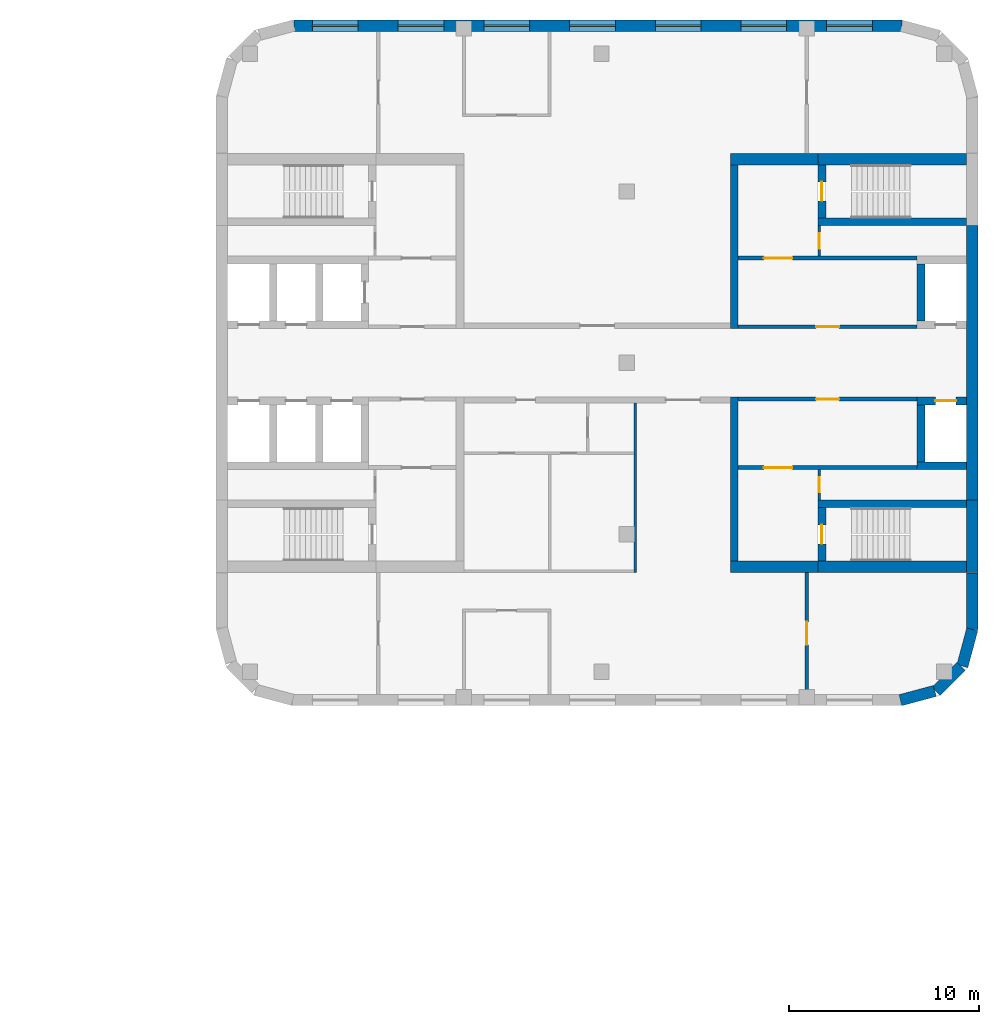
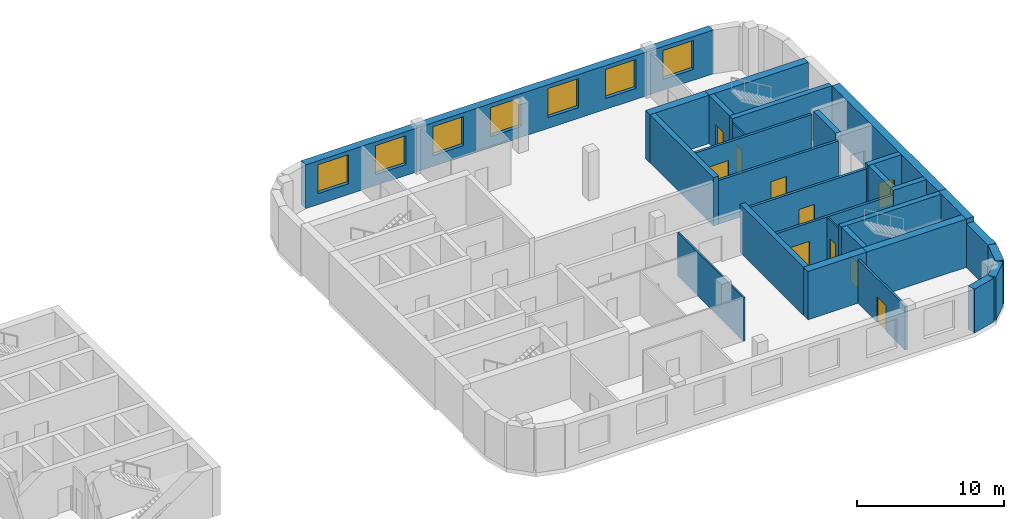
# One storey, part 9 of 16: 29 walls, 10 doors, 7 windows, 17 openings.
"""IFC4 building model written with IfcOpenShell, lengths in metres."""

from ifc_helpers import new_model, si_unit, direction, frame, frame_2d, origin, place, context, subcontext, project, spatial, rectangle, extrude, material, layer, layer_set, type_object, element, fill, save


model = new_model("IFC4")

# Units and contexts
model_context = context("Model", 3, precision=1e-05, world=origin(), true_north=direction((0.0, 1.0)))
body_context = subcontext(model_context, "Body", "Model", "MODEL_VIEW")
ifc_project = project(units=[si_unit("LENGTHUNIT", "METRE"), si_unit("AREAUNIT", "SQUARE_METRE"), si_unit("VOLUMEUNIT", "CUBIC_METRE"), si_unit("PLANEANGLEUNIT", "RADIAN"), si_unit("MASSUNIT", "GRAM", prefix="KILO")], contexts=[model_context])

# Site, building, storey
site_placement = place(None, origin())
site = spatial("IfcSite", under=ifc_project, at=site_placement, CompositionType="ELEMENT")
building_placement = place(site_placement, origin())
building = spatial("IfcBuilding", under=site, at=building_placement, Name="Skarvind Civic Tower", CompositionType="ELEMENT")
storey_placement = place(building_placement, frame((0.0, 0.0, 43.5)))
storey = spatial("IfcBuildingStorey", under=building, at=storey_placement, Name="L09", CompositionType="ELEMENT", Elevation=43.5)

# Wall, opening, door
ifc_material_1 = material(Name="Acoustic gypsum board on steel studs", Category="steel")
ifc_layer_1 = layer(ifc_material_1, 0.175048828125)
ifc_layer_set_1 = layer_set([ifc_layer_1], Name="ACOUSTIC MEETING-ROOM PARTITION 175")
wall_type_1 = type_object("IfcWallType", Name="ACOUSTIC MEETING-ROOM PARTITION 175", PredefinedType="PARTITIONING", material=ifc_layer_set_1)
wall_1_placement = place(storey_placement, frame((158.0, 110.60009765625, 0.0), z_axis=(0.0, 0.0, 1.0), x_axis=(0.0, 1.0, 0.0)))
wall_1 = element("IfcWall", 1, at=wall_1_placement, inside=storey, type_object=wall_type_1, Name="Partition 09.016", PredefinedType="PARTITIONING", context=body_context, shape_type="SweptSolid", body=[
    extrude(rectangle(XDim=6.39990234375, YDim=0.175048828125, at=frame_2d((3.199951171875, 0.0))), origin(), (0.0, 0.0, 1.0), 3.625),
])
opening_1_placement = place(wall_1_placement, frame((2.60009765625, 0.0, 0.0)))
opening_1 = element("IfcOpeningElement", 2, at=opening_1_placement, cuts=wall_1, Name="Opening L09-D112", PredefinedType="OPENING", context=body_context, shape_type="SweptSolid", body=[
    extrude(rectangle(XDim=1.199951171875, YDim=2.10009765625, at=frame_2d((0.60009765625, 1.050048828125))), frame((0.0, 0.097412109375, 0.0), z_axis=(0.0, -1.0, 0.0), x_axis=(1.0, 0.0, 0.0)), (0.0, 0.0, 1.0), 0.195068359375),
])
ifc_material_2 = material(Name="Timber door leaf", Category="wood")
door_type_1 = type_object("IfcDoorType", Name="DOOR 1200X2100 DOUBLE TIMBER", OperationType="NOTDEFINED", PredefinedType="DOOR", material=ifc_material_2)
door_1_placement = place(opening_1_placement, origin())
door_1 = element("IfcDoor", 3, at=door_1_placement, inside=storey, type_object=door_type_1, Name="Door L09-D112", OperationType="DOUBLE_DOOR_SINGLE_SWING", OverallHeight=2.10009765625, OverallWidth=1.199951171875, PredefinedType="DOOR", context=body_context, shape_type="SweptSolid", body=[
    extrude(rectangle(XDim=1.199951171875, YDim=2.10009765625, at=frame_2d((0.60009765625, 1.050048828125))), frame((0.0, 0.02490234375, 0.0), z_axis=(0.0, -1.0, 0.0), x_axis=(1.0, 0.0, 0.0)), (0.0, 0.0, 1.0), 0.050048828125),
])
fill(opening_1, door_1)

ifc_material_3 = material(Name="Fire-rated masonry partition", Category="masonry")
ifc_layer_2 = layer(ifc_material_3, 0.199951171875)
ifc_layer_set_2 = layer_set([ifc_layer_2], Name="Core enclosure wall 200")
wall_type_2 = type_object("IfcWallType", Name="Core enclosure wall 200", PredefinedType="PARTITIONING", material=ifc_layer_set_2)
wall_2_placement = place(storey_placement, frame((163.800048828125, 126.10009765625, 0.0), z_axis=(0.0, 0.0, 1.0), x_axis=(-1.0, 0.0, 0.0)))
wall_2 = element("IfcWall", 4, at=wall_2_placement, inside=storey, type_object=wall_type_2, Name="Core wall CB", PredefinedType="PARTITIONING", context=body_context, shape_type="SweptSolid", body=[
    extrude(rectangle(XDim=9.400146484375, YDim=0.199951171875, at=frame_2d((4.7001953125, 0.0))), origin(), (0.0, 0.0, 1.0), 3.625),
])
opening_2_placement = place(wall_2_placement, frame((4.10009765625, 0.0, 0.0)))
opening_2 = element("IfcOpeningElement", 5, at=opening_2_placement, cuts=wall_2, Name="Opening D-L09-CB-03", PredefinedType="OPENING", context=body_context, shape_type="SweptSolid", body=[
    extrude(rectangle(XDim=1.199951171875, YDim=2.10009765625, at=frame_2d((0.60009765625, 1.050048828125))), frame((0.0, 0.10986328125, 0.0), z_axis=(0.0, -1.0, 0.0), x_axis=(1.0, 0.0, 0.0)), (0.0, 0.0, 1.0), 0.219970703125),
])
ifc_material_4 = material(Name="Fire-rated steel door", Category="steel")
door_type_2 = type_object("IfcDoorType", Name="Core lobby door 1200", OperationType="NOTDEFINED", PredefinedType="DOOR", material=ifc_material_4)
door_2_placement = place(opening_2_placement, origin())
door_2 = element("IfcDoor", 6, at=door_2_placement, inside=storey, type_object=door_type_2, Name="Fire door", OperationType="DOUBLE_DOOR_SINGLE_SWING", OverallHeight=2.10009765625, OverallWidth=1.199951171875, PredefinedType="DOOR", context=body_context, shape_type="SweptSolid", body=[
    extrude(rectangle(XDim=1.199951171875, YDim=2.10009765625, at=frame_2d((0.60009765625, 1.050048828125))), frame((0.0, 0.02490234375, 0.0), z_axis=(0.0, -1.0, 0.0), x_axis=(1.0, 0.0, 0.0)), (0.0, 0.0, 1.0), 0.050048828125),
])
fill(opening_2, door_2)

wall_3_placement = place(storey_placement, frame((163.800048828125, 122.5, 0.0), z_axis=(0.0, 0.0, 1.0), x_axis=(-1.0, 0.0, 0.0)))
wall_3 = element("IfcWall", 7, at=wall_3_placement, inside=storey, type_object=wall_type_2, Name="Core wall CB", PredefinedType="PARTITIONING", context=body_context, shape_type="SweptSolid", body=[
    extrude(rectangle(XDim=9.400146484375, YDim=0.199951171875, at=frame_2d((4.7001953125, 0.0))), origin(), (0.0, 0.0, 1.0), 3.625),
])
opening_3_placement = place(wall_3_placement, frame((6.550048828125, 0.0, 0.0)))
opening_3 = element("IfcOpeningElement", 8, at=opening_3_placement, cuts=wall_3, Name="Opening D-L09-CB-04", PredefinedType="OPENING", context=body_context, shape_type="SweptSolid", body=[
    extrude(rectangle(XDim=1.5, YDim=2.10009765625, at=frame_2d((0.75, 1.050048828125))), frame((0.0, 0.10986328125, 0.0), z_axis=(0.0, -1.0, 0.0), x_axis=(1.0, 0.0, 0.0)), (0.0, 0.0, 1.0), 0.219970703125),
])
door_type_3 = type_object("IfcDoorType", Name="Fire door 1500", OperationType="NOTDEFINED", PredefinedType="DOOR", material=ifc_material_4)
door_3_placement = place(opening_3_placement, origin())
door_3 = element("IfcDoor", 9, at=door_3_placement, inside=storey, type_object=door_type_3, Name="Fire door", OperationType="DOUBLE_DOOR_SINGLE_SWING", OverallHeight=2.10009765625, OverallWidth=1.5, PredefinedType="DOOR", context=body_context, shape_type="SweptSolid", body=[
    extrude(rectangle(XDim=1.5, YDim=2.10009765625, at=frame_2d((0.75, 1.050048828125))), frame((0.0, 0.02490234375, 0.0), z_axis=(0.0, -1.0, 0.0), x_axis=(1.0, 0.0, 0.0)), (0.0, 0.0, 1.0), 0.050048828125),
])
fill(opening_3, door_3)

wall_4_placement = place(storey_placement, frame((154.39990234375, 129.89990234375, 0.0), z_axis=(0.0, 0.0, 1.0), x_axis=(1.0, 0.0, 0.0)))
wall_4 = element("IfcWall", 10, at=wall_4_placement, inside=storey, type_object=wall_type_2, Name="Core wall CB", PredefinedType="PARTITIONING", context=body_context, shape_type="SweptSolid", body=[
    extrude(rectangle(XDim=9.400146484375, YDim=0.199951171875, at=frame_2d((4.7001953125, 0.0))), origin(), (0.0, 0.0, 1.0), 3.625),
])
opening_4_placement = place(wall_4_placement, frame((4.10009765625, 0.0, 0.0)))
opening_4 = element("IfcOpeningElement", 11, at=opening_4_placement, cuts=wall_4, Name="Opening D-L09-CB-07", PredefinedType="OPENING", context=body_context, shape_type="SweptSolid", body=[
    extrude(rectangle(XDim=1.199951171875, YDim=2.10009765625, at=frame_2d((0.60009765625, 1.050048828125))), frame((0.0, 0.10986328125, 0.0), z_axis=(0.0, -1.0, 0.0), x_axis=(1.0, 0.0, 0.0)), (0.0, 0.0, 1.0), 0.219970703125),
])
door_4_placement = place(opening_4_placement, origin())
door_4 = element("IfcDoor", 12, at=door_4_placement, inside=storey, type_object=door_type_2, Name="Fire door", OperationType="DOUBLE_DOOR_SINGLE_SWING", OverallHeight=2.10009765625, OverallWidth=1.199951171875, PredefinedType="DOOR", context=body_context, shape_type="SweptSolid", body=[
    extrude(rectangle(XDim=1.199951171875, YDim=2.10009765625, at=frame_2d((0.60009765625, 1.050048828125))), frame((0.0, 0.02490234375, 0.0), z_axis=(0.0, -1.0, 0.0), x_axis=(1.0, 0.0, 0.0)), (0.0, 0.0, 1.0), 0.050048828125),
])
fill(opening_4, door_4)

wall_5_placement = place(storey_placement, frame((154.39990234375, 133.5, 0.0), z_axis=(0.0, 0.0, 1.0), x_axis=(1.0, 0.0, 0.0)))
wall_5 = element("IfcWall", 13, at=wall_5_placement, inside=storey, type_object=wall_type_2, Name="Core wall CB", PredefinedType="PARTITIONING", context=body_context, shape_type="SweptSolid", body=[
    extrude(rectangle(XDim=9.400146484375, YDim=0.199951171875, at=frame_2d((4.7001953125, 0.0))), origin(), (0.0, 0.0, 1.0), 3.625),
])
opening_5_placement = place(wall_5_placement, frame((1.35009765625, 0.0, 0.0)))
opening_5 = element("IfcOpeningElement", 14, at=opening_5_placement, cuts=wall_5, Name="Opening D-L09-CB-08", PredefinedType="OPENING", context=body_context, shape_type="SweptSolid", body=[
    extrude(rectangle(XDim=1.5, YDim=2.10009765625, at=frame_2d((0.75, 1.050048828125))), frame((0.0, 0.10986328125, 0.0), z_axis=(0.0, -1.0, 0.0), x_axis=(1.0, 0.0, 0.0)), (0.0, 0.0, 1.0), 0.219970703125),
])
door_5_placement = place(opening_5_placement, origin())
door_5 = element("IfcDoor", 15, at=door_5_placement, inside=storey, type_object=door_type_3, Name="Fire door", OperationType="DOUBLE_DOOR_SINGLE_SWING", OverallHeight=2.10009765625, OverallWidth=1.5, PredefinedType="DOOR", context=body_context, shape_type="SweptSolid", body=[
    extrude(rectangle(XDim=1.5, YDim=2.10009765625, at=frame_2d((0.75, 1.050048828125))), frame((0.0, 0.02490234375, 0.0), z_axis=(0.0, -1.0, 0.0), x_axis=(1.0, 0.0, 0.0)), (0.0, 0.0, 1.0), 0.050048828125),
])
fill(opening_5, door_5)

# Wall
ifc_material_5 = material(Name="Concrete C80", Category="concrete")
ifc_layer_3 = layer(ifc_material_5, 0.39990234375)
ifc_layer_set_3 = layer_set([ifc_layer_3], Name="Core wall 400 C80")
wall_type_3 = type_object("IfcWallType", Name="Core wall 400 C80", PredefinedType="SHEAR", material=ifc_layer_set_3)
wall_6_placement = place(storey_placement, frame((166.39990234375, 135.39990234375, 0.0), z_axis=(0.0, 0.0, 1.0), x_axis=(-1.0, 0.0, 0.0)))
element("IfcWall", 16, at=wall_6_placement, inside=storey, type_object=wall_type_3, Name="Core wall CB south stair inner L09", PredefinedType="SHEAR", context=body_context, shape_type="SweptSolid", body=[
    extrude(rectangle(XDim=7.7998046875, YDim=0.39990234375, at=frame_2d((3.89990234375, 0.0))), origin(), (0.0, 0.0, 1.0), 4.0),
])

# Wall, opening, door
wall_7_placement = place(storey_placement, frame((158.800048828125, 138.39990234375, 0.0), z_axis=(0.0, 0.0, 1.0), x_axis=(0.0, -1.0, 0.0)))
wall_7 = element("IfcWall", 17, at=wall_7_placement, inside=storey, type_object=wall_type_3, Name="Core wall CB south stair end L09", PredefinedType="SHEAR", context=body_context, shape_type="SweptSolid", body=[
    extrude(rectangle(XDim=2.7998046875, YDim=0.39990234375, at=frame_2d((1.39990234375, 0.0))), origin(), (0.0, 0.0, 1.0), 4.0),
])
opening_6_placement = place(wall_7_placement, frame((0.89990234375, 0.0, 0.0)))
opening_6 = element("IfcOpeningElement", 18, at=opening_6_placement, cuts=wall_7, Name="Opening D-L09-CB-09", PredefinedType="OPENING", context=body_context, shape_type="SweptSolid", body=[
    extrude(rectangle(XDim=1.0, YDim=2.10009765625, at=frame_2d((0.5, 1.050048828125))), frame((0.0, 0.2099609375, 0.0), z_axis=(0.0, -1.0, 0.0), x_axis=(1.0, 0.0, 0.0)), (0.0, 0.0, 1.0), 0.419921875),
])
door_type_4 = type_object("IfcDoorType", Name="Fire door 1000", OperationType="NOTDEFINED", PredefinedType="DOOR", material=ifc_material_4)
door_6_placement = place(opening_6_placement, origin())
door_6 = element("IfcDoor", 19, at=door_6_placement, inside=storey, type_object=door_type_4, Name="Fire door", OperationType="SINGLE_SWING_RIGHT", OverallHeight=2.10009765625, OverallWidth=1.0, PredefinedType="DOOR", context=body_context, shape_type="SweptSolid", body=[
    extrude(rectangle(XDim=1.0, YDim=2.10009765625, at=frame_2d((0.5, 1.050048828125))), frame((0.0, 0.02490234375, 0.0), z_axis=(0.0, -1.0, 0.0), x_axis=(1.0, 0.0, 0.0)), (0.0, 0.0, 1.0), 0.050048828125),
])
fill(opening_6, door_6)

# Wall
wall_8_placement = place(storey_placement, frame((166.39990234375, 120.60009765625, 0.0), z_axis=(0.0, 0.0, 1.0), x_axis=(-1.0, 0.0, 0.0)))
element("IfcWall", 20, at=wall_8_placement, inside=storey, type_object=wall_type_3, Name="Core wall CB north stair inner L09", PredefinedType="SHEAR", context=body_context, shape_type="SweptSolid", body=[
    extrude(rectangle(XDim=7.7998046875, YDim=0.39990234375, at=frame_2d((3.89990234375, 0.0))), origin(), (0.0, 0.0, 1.0), 4.0),
])

# Wall, opening, door
wall_9_placement = place(storey_placement, frame((158.800048828125, 120.39990234375, 0.0), z_axis=(0.0, 0.0, 1.0), x_axis=(0.0, -1.0, 0.0)))
wall_9 = element("IfcWall", 21, at=wall_9_placement, inside=storey, type_object=wall_type_3, Name="Core wall CB north stair end L09", PredefinedType="SHEAR", context=body_context, shape_type="SweptSolid", body=[
    extrude(rectangle(XDim=2.7998046875, YDim=0.39990234375, at=frame_2d((1.39990234375, 0.0))), origin(), (0.0, 0.0, 1.0), 4.0),
])
opening_7_placement = place(wall_9_placement, frame((0.89990234375, 0.0, 0.0)))
opening_7 = element("IfcOpeningElement", 22, at=opening_7_placement, cuts=wall_9, Name="Opening D-L09-CB-05", PredefinedType="OPENING", context=body_context, shape_type="SweptSolid", body=[
    extrude(rectangle(XDim=1.0, YDim=2.10009765625, at=frame_2d((0.5, 1.050048828125))), frame((0.0, 0.2099609375, 0.0), z_axis=(0.0, -1.0, 0.0), x_axis=(1.0, 0.0, 0.0)), (0.0, 0.0, 1.0), 0.419921875),
])
door_7_placement = place(opening_7_placement, origin())
door_7 = element("IfcDoor", 23, at=door_7_placement, inside=storey, type_object=door_type_4, Name="Fire door", OperationType="SINGLE_SWING_LEFT", OverallHeight=2.10009765625, OverallWidth=1.0, PredefinedType="DOOR", context=body_context, shape_type="SweptSolid", body=[
    extrude(rectangle(XDim=1.0, YDim=2.10009765625, at=frame_2d((0.5, 1.050048828125))), frame((0.0, 0.02490234375, 0.0), z_axis=(0.0, -1.0, 0.0), x_axis=(1.0, 0.0, 0.0)), (0.0, 0.0, 1.0), 0.050048828125),
])
fill(opening_7, door_7)

# Wall
wall_10_placement = place(storey_placement, frame((164.0, 133.199951171875, 0.0), z_axis=(0.0, 0.0, 1.0), x_axis=(0.0, -1.0, 0.0)))
element("IfcWall", 24, at=wall_10_placement, inside=storey, type_object=wall_type_3, Name="Core wall CB south lift row division 1 L09", PredefinedType="SHEAR", context=body_context, shape_type="SweptSolid", body=[
    extrude(rectangle(XDim=3.0, YDim=0.39990234375, at=frame_2d((1.5, 0.0))), origin(), (0.0, 0.0, 1.0), 4.0),
])

# Wall, opening, door
wall_11_placement = place(storey_placement, frame((166.39990234375, 126.0, 0.0), z_axis=(0.0, 0.0, 1.0), x_axis=(-1.0, 0.0, 0.0)))
wall_11 = element("IfcWall", 25, at=wall_11_placement, inside=storey, type_object=wall_type_3, Name="Core wall CB north lift row front L09", PredefinedType="SHEAR", context=body_context, shape_type="SweptSolid", body=[
    extrude(rectangle(XDim=2.599853515625, YDim=0.39990234375, at=frame_2d((1.2998046875, 0.0))), origin(), (0.0, 0.0, 1.0), 4.0),
])
opening_8_placement = place(wall_11_placement, frame((0.550048828125, 0.0, 0.0)))
opening_8 = element("IfcOpeningElement", 26, at=opening_8_placement, cuts=wall_11, Name="Opening LD11401", PredefinedType="OPENING", context=body_context, shape_type="SweptSolid", body=[
    extrude(rectangle(XDim=1.10009765625, YDim=2.10009765625, at=frame_2d((0.550048828125, 1.050048828125))), frame((0.0, 0.2099609375, 0.0), z_axis=(0.0, -1.0, 0.0), x_axis=(1.0, 0.0, 0.0)), (0.0, 0.0, 1.0), 0.419921875),
])
ifc_material_6 = material(Name="Stainless steel landing door", Category="steel")
door_type_5 = type_object("IfcDoorType", Name="Lift landing door 1100", OperationType="DOUBLE_DOOR_SLIDING", PredefinedType="DOOR", material=ifc_material_6)
door_8_placement = place(opening_8_placement, origin())
door_8 = element("IfcDoor", 27, at=door_8_placement, inside=storey, type_object=door_type_5, Name="Lift landing door", OperationType="DOUBLE_DOOR_SLIDING", OverallHeight=2.10009765625, OverallWidth=1.10009765625, PredefinedType="DOOR", context=body_context, shape_type="SweptSolid", body=[
    extrude(rectangle(XDim=1.10009765625, YDim=2.10009765625, at=frame_2d((0.550048828125, 1.050048828125))), frame((0.0, 0.02490234375, 0.0), z_axis=(0.0, -1.0, 0.0), x_axis=(1.0, 0.0, 0.0)), (0.0, 0.0, 1.0), 0.050048828125),
])
fill(opening_8, door_8)

# Walls
wall_12_placement = place(storey_placement, frame((166.39990234375, 122.60009765625, 0.0), z_axis=(0.0, 0.0, 1.0), x_axis=(-1.0, 0.0, 0.0)))
element("IfcWall", 28, at=wall_12_placement, inside=storey, type_object=wall_type_3, Name="Core wall CB north lift row back L09", PredefinedType="SHEAR", context=body_context, shape_type="SweptSolid", body=[
    extrude(rectangle(XDim=2.599853515625, YDim=0.39990234375, at=frame_2d((1.2998046875, 0.0))), origin(), (0.0, 0.0, 1.0), 4.0),
])
wall_13_placement = place(storey_placement, frame((164.0, 125.800048828125, 0.0), z_axis=(0.0, 0.0, 1.0), x_axis=(0.0, -1.0, 0.0)))
element("IfcWall", 29, at=wall_13_placement, inside=storey, type_object=wall_type_3, Name="Core wall CB north lift row division 1 L09", PredefinedType="SHEAR", context=body_context, shape_type="SweptSolid", body=[
    extrude(rectangle(XDim=3.0, YDim=0.39990234375, at=frame_2d((1.5, 0.0))), origin(), (0.0, 0.0, 1.0), 4.0),
])
for number, where, z_axis, x_axis, name in (
    (30, (154.199951171875, 138.39990234375, 0.0), (0.0, 0.0, 1.0), (0.0, -1.0, 0.0), "Core wall CB south inner face L09"),
    (31, (154.199951171875, 126.199951171875, 0.0), (0.0, 0.0, 1.0), (0.0, -1.0, 0.0), "Core wall CB north inner face L09"),
):
    element("IfcWall", number, at=place(storey_placement, frame(where, z_axis=z_axis, x_axis=x_axis)), inside=storey, type_object=wall_type_3, Name=name, PredefinedType="SHEAR", context=body_context, shape_type="SweptSolid", body=[
        extrude(rectangle(XDim=8.599853515625, YDim=0.39990234375, at=frame_2d((4.2998046875, 0.0))), origin(), (0.0, 0.0, 1.0), 4.0),
    ])
ifc_layer_4 = layer(ifc_material_5, 0.60009765625)
ifc_layer_set_4 = layer_set([ifc_layer_4], Name="Core wall 600 C80")
wall_type_4 = type_object("IfcWallType", Name="Core wall 600 C80", PredefinedType="SHEAR", material=ifc_layer_set_4)
wall_14_placement = place(storey_placement, frame((166.699951171875, 135.199951171875, 0.0), z_axis=(0.0, 0.0, 1.0), x_axis=(0.0, -1.0, 0.0)))
element("IfcWall", 32, at=wall_14_placement, inside=storey, type_object=wall_type_4, Name="Core wall CB tip between the stairs L09", PredefinedType="SHEAR", context=body_context, shape_type="SweptSolid", body=[
    extrude(rectangle(XDim=14.39990234375, YDim=0.60009765625, at=frame_2d((7.199951171875, 0.0))), origin(), (0.0, 0.0, 1.0), 4.0),
])
wall_15_placement = place(storey_placement, frame((166.699951171875, 120.800048828125, 0.0), z_axis=(0.0, 0.0, 1.0), x_axis=(0.0, -1.0, 0.0)))
element("IfcWall", 33, at=wall_15_placement, inside=storey, type_object=wall_type_4, Name="Core wall CB tip at the north stair L09", PredefinedType="SHEAR", context=body_context, shape_type="SweptSolid", body=[
    extrude(rectangle(XDim=3.800048828125, YDim=0.60009765625, at=frame_2d((1.89990234375, 0.0))), origin(), (0.0, 0.0, 1.0), 4.0),
])
for number, where, z_axis, x_axis, name in (
    (34, (166.39990234375, 138.699951171875, 0.0), (0.0, 0.0, 1.0), (-1.0, 0.0, 0.0), "Core wall CB south side at the stair L09"),
    (35, (166.39990234375, 117.300048828125, 0.0), (0.0, 0.0, 1.0), (-1.0, 0.0, 0.0), "Core wall CB north side at the stair L09"),
):
    element("IfcWall", number, at=place(storey_placement, frame(where, z_axis=z_axis, x_axis=x_axis)), inside=storey, type_object=wall_type_4, Name=name, PredefinedType="SHEAR", context=body_context, shape_type="SweptSolid", body=[
        extrude(rectangle(XDim=7.7998046875, YDim=0.60009765625, at=frame_2d((3.89990234375, 0.0))), origin(), (0.0, 0.0, 1.0), 4.0),
    ])
for number, where, z_axis, x_axis, name in (
    (36, (158.60009765625, 138.699951171875, 0.0), (0.0, 0.0, 1.0), (-1.0, 0.0, 0.0), "Core wall CB south side L09"),
    (37, (158.60009765625, 117.300048828125, 0.0), (0.0, 0.0, 1.0), (-1.0, 0.0, 0.0), "Core wall CB north side L09"),
):
    element("IfcWall", number, at=place(storey_placement, frame(where, z_axis=z_axis, x_axis=x_axis)), inside=storey, type_object=wall_type_4, Name=name, PredefinedType="SHEAR", context=body_context, shape_type="SweptSolid", body=[
        extrude(rectangle(XDim=4.60009765625, YDim=0.60009765625, at=frame_2d((2.300048828125, 0.0))), origin(), (0.0, 0.0, 1.0), 4.0),
    ])

# Wall, opening, door
ifc_layer_5 = layer(ifc_material_3, 0.125)
ifc_layer_set_5 = layer_set([ifc_layer_5], Name="Riser wall 125")
wall_type_5 = type_object("IfcWallType", Name="Riser wall 125", PredefinedType="PARTITIONING", material=ifc_layer_set_5)
wall_16_placement = place(storey_placement, frame((158.66259765625, 120.800048828125, 0.0), z_axis=(0.0, 0.0, 1.0), x_axis=(0.0, 1.0, 0.0)))
wall_16 = element("IfcWall", 38, at=wall_16_placement, inside=storey, type_object=wall_type_5, Name="Core wall CB", PredefinedType="PARTITIONING", context=body_context, shape_type="SweptSolid", body=[
    extrude(rectangle(XDim=1.599853515625, YDim=0.125, at=frame_2d((0.7998046875, 0.0))), origin(), (0.0, 0.0, 1.0), 3.625),
])
opening_9_placement = place(wall_16_placement, frame((0.39990234375, 0.0, 0.0)))
opening_9 = element("IfcOpeningElement", 39, at=opening_9_placement, cuts=wall_16, Name="Opening D-L09-CB-06", PredefinedType="OPENING", context=body_context, shape_type="SweptSolid", body=[
    extrude(rectangle(XDim=0.800048828125, YDim=2.10009765625, at=frame_2d((0.39990234375, 1.050048828125))), frame((0.0, 0.072509765625, 0.0), z_axis=(0.0, -1.0, 0.0), x_axis=(1.0, 0.0, 0.0)), (0.0, 0.0, 1.0), 0.14501953125),
])
door_type_6 = type_object("IfcDoorType", Name="Core riser door 800", OperationType="NOTDEFINED", PredefinedType="DOOR", material=ifc_material_4)
door_9_placement = place(opening_9_placement, origin())
door_9 = element("IfcDoor", 40, at=door_9_placement, inside=storey, type_object=door_type_6, Name="Riser door", OperationType="SINGLE_SWING_RIGHT", OverallHeight=2.10009765625, OverallWidth=0.800048828125, PredefinedType="DOOR", context=body_context, shape_type="SweptSolid", body=[
    extrude(rectangle(XDim=0.800048828125, YDim=2.10009765625, at=frame_2d((0.39990234375, 1.050048828125))), frame((0.0, 0.02490234375, 0.0), z_axis=(0.0, -1.0, 0.0), x_axis=(1.0, 0.0, 0.0)), (0.0, 0.0, 1.0), 0.050048828125),
])
fill(opening_9, door_9)

wall_17_placement = place(storey_placement, frame((158.66259765625, 133.60009765625, 0.0), z_axis=(0.0, 0.0, 1.0), x_axis=(0.0, 1.0, 0.0)))
wall_17 = element("IfcWall", 41, at=wall_17_placement, inside=storey, type_object=wall_type_5, Name="Core wall CB", PredefinedType="PARTITIONING", context=body_context, shape_type="SweptSolid", body=[
    extrude(rectangle(XDim=1.599853515625, YDim=0.125, at=frame_2d((0.7998046875, 0.0))), origin(), (0.0, 0.0, 1.0), 3.625),
])
opening_10_placement = place(wall_17_placement, frame((0.39990234375, 0.0, 0.0)))
opening_10 = element("IfcOpeningElement", 42, at=opening_10_placement, cuts=wall_17, Name="Opening D-L09-CB-10", PredefinedType="OPENING", context=body_context, shape_type="SweptSolid", body=[
    extrude(rectangle(XDim=0.800048828125, YDim=2.10009765625, at=frame_2d((0.39990234375, 1.050048828125))), frame((0.0, 0.072509765625, 0.0), z_axis=(0.0, -1.0, 0.0), x_axis=(1.0, 0.0, 0.0)), (0.0, 0.0, 1.0), 0.14501953125),
])
door_10_placement = place(opening_10_placement, origin())
door_10 = element("IfcDoor", 43, at=door_10_placement, inside=storey, type_object=door_type_6, Name="Riser door", OperationType="SINGLE_SWING_LEFT", OverallHeight=2.10009765625, OverallWidth=0.800048828125, PredefinedType="DOOR", context=body_context, shape_type="SweptSolid", body=[
    extrude(rectangle(XDim=0.800048828125, YDim=2.10009765625, at=frame_2d((0.39990234375, 1.050048828125))), frame((0.0, 0.02490234375, 0.0), z_axis=(0.0, -1.0, 0.0), x_axis=(1.0, 0.0, 0.0)), (0.0, 0.0, 1.0), 0.050048828125),
])
fill(opening_10, door_10)

# Wall
ifc_material_7 = material(Name="Moisture-resistant gypsum board on steel studs", Category="steel")
ifc_layer_6 = layer(ifc_material_7, 0.125)
ifc_layer_set_6 = layer_set([ifc_layer_6], Name="WC PARTITION 125")
wall_type_6 = type_object("IfcWallType", Name="WC PARTITION 125", PredefinedType="PARTITIONING", material=ifc_layer_set_6)
wall_18_placement = place(storey_placement, frame((149.0, 116.988037109375, 0.0), z_axis=(0.0, 0.0, 1.0), x_axis=(0.0, 1.0, 0.0)))
element("IfcWall", 44, at=wall_18_placement, inside=storey, type_object=wall_type_6, Name="Partition 09.014", PredefinedType="PARTITIONING", context=body_context, shape_type="SweptSolid", body=[
    extrude(rectangle(XDim=8.911865234375, YDim=0.125, at=frame_2d((4.4560546875, 0.0))), origin(), (0.0, 0.0, 1.0), 3.625),
])

# Wall, openings, windows
ifc_material_8 = material(Name="Limestone masonry cladding on insulated backing", Category="masonry")
ifc_layer_7 = layer(ifc_material_8, 0.60009765625)
ifc_layer_set_7 = layer_set([ifc_layer_7], Name="WX1 STONE FACADE WALL 600")
wall_type_7 = type_object("IfcWallType", Name="WX1 STONE FACADE WALL 600", PredefinedType="SOLIDWALL", material=ifc_layer_set_7)
wall_19_placement = place(storey_placement, frame((131.070068359375, 145.699951171875, 0.0), z_axis=(0.0, 0.0, 1.0), x_axis=(1.0, 0.0, 0.0)))
wall_19 = element("IfcWall", 45, at=wall_19_placement, inside=storey, type_object=wall_type_7, Name="STONE FACADE WALL", PredefinedType="SOLIDWALL", context=body_context, shape_type="SweptSolid", body=[
    extrude(rectangle(XDim=31.929931640625, YDim=0.60009765625, at=frame_2d((15.96484375, 0.0))), origin(), (0.0, 0.0, 1.0), 3.625),
])
opening_11_placement = place(wall_19_placement, frame((0.97998046875, 0.0, 0.89990234375)))
opening_11 = element("IfcOpeningElement", 46, at=opening_11_placement, cuts=wall_19, Name="Opening WN9", PredefinedType="OPENING", context=body_context, shape_type="SweptSolid", body=[
    extrude(rectangle(XDim=2.39990234375, YDim=2.39990234375, at=frame_2d((1.199951171875, 1.199951171875))), frame((0.0, 0.31005859375, 0.0), z_axis=(0.0, -1.0, 0.0), x_axis=(1.0, 0.0, 0.0)), (0.0, 0.0, 1.0), 0.6201171875),
])
opening_12_placement = place(wall_19_placement, frame((5.47998046875, 0.0, 0.89990234375)))
opening_12 = element("IfcOpeningElement", 47, at=opening_12_placement, cuts=wall_19, Name="Opening WN9", PredefinedType="OPENING", context=body_context, shape_type="SweptSolid", body=[
    extrude(rectangle(XDim=2.39990234375, YDim=2.39990234375, at=frame_2d((1.199951171875, 1.199951171875))), frame((0.0, 0.31005859375, 0.0), z_axis=(0.0, -1.0, 0.0), x_axis=(1.0, 0.0, 0.0)), (0.0, 0.0, 1.0), 0.6201171875),
])
opening_13_placement = place(wall_19_placement, frame((9.97998046875, 0.0, 0.89990234375)))
opening_13 = element("IfcOpeningElement", 48, at=opening_13_placement, cuts=wall_19, Name="Opening WN9", PredefinedType="OPENING", context=body_context, shape_type="SweptSolid", body=[
    extrude(rectangle(XDim=2.39990234375, YDim=2.39990234375, at=frame_2d((1.199951171875, 1.199951171875))), frame((0.0, 0.31005859375, 0.0), z_axis=(0.0, -1.0, 0.0), x_axis=(1.0, 0.0, 0.0)), (0.0, 0.0, 1.0), 0.6201171875),
])
opening_14_placement = place(wall_19_placement, frame((14.47998046875, 0.0, 0.89990234375)))
opening_14 = element("IfcOpeningElement", 49, at=opening_14_placement, cuts=wall_19, Name="Opening WN9", PredefinedType="OPENING", context=body_context, shape_type="SweptSolid", body=[
    extrude(rectangle(XDim=2.39990234375, YDim=2.39990234375, at=frame_2d((1.199951171875, 1.199951171875))), frame((0.0, 0.31005859375, 0.0), z_axis=(0.0, -1.0, 0.0), x_axis=(1.0, 0.0, 0.0)), (0.0, 0.0, 1.0), 0.6201171875),
])
opening_15_placement = place(wall_19_placement, frame((18.97998046875, 0.0, 0.89990234375)))
opening_15 = element("IfcOpeningElement", 50, at=opening_15_placement, cuts=wall_19, Name="Opening WN9", PredefinedType="OPENING", context=body_context, shape_type="SweptSolid", body=[
    extrude(rectangle(XDim=2.39990234375, YDim=2.39990234375, at=frame_2d((1.199951171875, 1.199951171875))), frame((0.0, 0.31005859375, 0.0), z_axis=(0.0, -1.0, 0.0), x_axis=(1.0, 0.0, 0.0)), (0.0, 0.0, 1.0), 0.6201171875),
])
opening_16_placement = place(wall_19_placement, frame((23.47998046875, 0.0, 0.89990234375)))
opening_16 = element("IfcOpeningElement", 51, at=opening_16_placement, cuts=wall_19, Name="Opening WN9", PredefinedType="OPENING", context=body_context, shape_type="SweptSolid", body=[
    extrude(rectangle(XDim=2.39990234375, YDim=2.39990234375, at=frame_2d((1.199951171875, 1.199951171875))), frame((0.0, 0.31005859375, 0.0), z_axis=(0.0, -1.0, 0.0), x_axis=(1.0, 0.0, 0.0)), (0.0, 0.0, 1.0), 0.6201171875),
])
opening_17_placement = place(wall_19_placement, frame((27.97998046875, 0.0, 0.89990234375)))
opening_17 = element("IfcOpeningElement", 52, at=opening_17_placement, cuts=wall_19, Name="Opening WN9", PredefinedType="OPENING", context=body_context, shape_type="SweptSolid", body=[
    extrude(rectangle(XDim=2.39990234375, YDim=2.39990234375, at=frame_2d((1.199951171875, 1.199951171875))), frame((0.0, 0.31005859375, 0.0), z_axis=(0.0, -1.0, 0.0), x_axis=(1.0, 0.0, 0.0)), (0.0, 0.0, 1.0), 0.6201171875),
])
ifc_material_9 = material(Name="Timber frame, double glazing, timber-lined reveal", Category="wood")
window_type = type_object("IfcWindowType", Name="WN9 COMPANION TOWER WINDOW 2400 x 2400", PartitioningType="SINGLE_PANEL", PredefinedType="WINDOW", material=ifc_material_9)
window_1_placement = place(opening_11_placement, origin())
window_1 = element("IfcWindow", 53, at=window_1_placement, inside=storey, type_object=window_type, Name="WN9 WINDOW", OverallHeight=2.39990234375, OverallWidth=2.39990234375, PartitioningType="SINGLE_PANEL", PredefinedType="WINDOW", context=body_context, shape_type="SweptSolid", body=[
    extrude(rectangle(XDim=2.39990234375, YDim=2.39990234375, at=frame_2d((1.199951171875, 1.199951171875))), frame((0.0, 0.030029296875, 0.0), z_axis=(0.0, -1.0, 0.0), x_axis=(1.0, 0.0, 0.0)), (0.0, 0.0, 1.0), 0.06005859375),
])
fill(opening_11, window_1)
window_2_placement = place(opening_12_placement, origin())
window_2 = element("IfcWindow", 54, at=window_2_placement, inside=storey, type_object=window_type, Name="WN9 WINDOW", OverallHeight=2.39990234375, OverallWidth=2.39990234375, PartitioningType="SINGLE_PANEL", PredefinedType="WINDOW", context=body_context, shape_type="SweptSolid", body=[
    extrude(rectangle(XDim=2.39990234375, YDim=2.39990234375, at=frame_2d((1.199951171875, 1.199951171875))), frame((0.0, 0.030029296875, 0.0), z_axis=(0.0, -1.0, 0.0), x_axis=(1.0, 0.0, 0.0)), (0.0, 0.0, 1.0), 0.06005859375),
])
fill(opening_12, window_2)
window_3_placement = place(opening_13_placement, origin())
window_3 = element("IfcWindow", 55, at=window_3_placement, inside=storey, type_object=window_type, Name="WN9 WINDOW", OverallHeight=2.39990234375, OverallWidth=2.39990234375, PartitioningType="SINGLE_PANEL", PredefinedType="WINDOW", context=body_context, shape_type="SweptSolid", body=[
    extrude(rectangle(XDim=2.39990234375, YDim=2.39990234375, at=frame_2d((1.199951171875, 1.199951171875))), frame((0.0, 0.030029296875, 0.0), z_axis=(0.0, -1.0, 0.0), x_axis=(1.0, 0.0, 0.0)), (0.0, 0.0, 1.0), 0.06005859375),
])
fill(opening_13, window_3)
window_4_placement = place(opening_14_placement, origin())
window_4 = element("IfcWindow", 56, at=window_4_placement, inside=storey, type_object=window_type, Name="WN9 WINDOW", OverallHeight=2.39990234375, OverallWidth=2.39990234375, PartitioningType="SINGLE_PANEL", PredefinedType="WINDOW", context=body_context, shape_type="SweptSolid", body=[
    extrude(rectangle(XDim=2.39990234375, YDim=2.39990234375, at=frame_2d((1.199951171875, 1.199951171875))), frame((0.0, 0.030029296875, 0.0), z_axis=(0.0, -1.0, 0.0), x_axis=(1.0, 0.0, 0.0)), (0.0, 0.0, 1.0), 0.06005859375),
])
fill(opening_14, window_4)
window_5_placement = place(opening_15_placement, origin())
window_5 = element("IfcWindow", 57, at=window_5_placement, inside=storey, type_object=window_type, Name="WN9 WINDOW", OverallHeight=2.39990234375, OverallWidth=2.39990234375, PartitioningType="SINGLE_PANEL", PredefinedType="WINDOW", context=body_context, shape_type="SweptSolid", body=[
    extrude(rectangle(XDim=2.39990234375, YDim=2.39990234375, at=frame_2d((1.199951171875, 1.199951171875))), frame((0.0, 0.030029296875, 0.0), z_axis=(0.0, -1.0, 0.0), x_axis=(1.0, 0.0, 0.0)), (0.0, 0.0, 1.0), 0.06005859375),
])
fill(opening_15, window_5)
window_6_placement = place(opening_16_placement, origin())
window_6 = element("IfcWindow", 58, at=window_6_placement, inside=storey, type_object=window_type, Name="WN9 WINDOW", OverallHeight=2.39990234375, OverallWidth=2.39990234375, PartitioningType="SINGLE_PANEL", PredefinedType="WINDOW", context=body_context, shape_type="SweptSolid", body=[
    extrude(rectangle(XDim=2.39990234375, YDim=2.39990234375, at=frame_2d((1.199951171875, 1.199951171875))), frame((0.0, 0.030029296875, 0.0), z_axis=(0.0, -1.0, 0.0), x_axis=(1.0, 0.0, 0.0)), (0.0, 0.0, 1.0), 0.06005859375),
])
fill(opening_16, window_6)
window_7_placement = place(opening_17_placement, origin())
window_7 = element("IfcWindow", 59, at=window_7_placement, inside=storey, type_object=window_type, Name="WN9 WINDOW", OverallHeight=2.39990234375, OverallWidth=2.39990234375, PartitioningType="SINGLE_PANEL", PredefinedType="WINDOW", context=body_context, shape_type="SweptSolid", body=[
    extrude(rectangle(XDim=2.39990234375, YDim=2.39990234375, at=frame_2d((1.199951171875, 1.199951171875))), frame((0.0, 0.030029296875, 0.0), z_axis=(0.0, -1.0, 0.0), x_axis=(1.0, 0.0, 0.0)), (0.0, 0.0, 1.0), 0.06005859375),
])
fill(opening_17, window_7)

# Walls
for number, where, z_axis, x_axis, name in (
    (60, (164.719482421875, 110.771240234375, 0.0), (0.0, 0.0, 1.0), (-0.965938094805, -0.258773254036, 0.0), "STONE FACADE WALL"),
    (61, (166.103515625, 112.063720703125, 0.0), (0.0, 0.0, 1.0), (-0.707106781187, -0.707106781187, 0.0), "STONE FACADE WALL"),
):
    element("IfcWall", number, at=place(storey_placement, frame(where, z_axis=z_axis, x_axis=x_axis)), inside=storey, type_object=wall_type_7, Name=name, PredefinedType="SOLIDWALL", context=body_context, shape_type="SweptSolid", body=[
        extrude(rectangle(XDim=1.860595703125, YDim=0.60009765625, at=frame_2d((0.93017578125, 0.0))), origin(), (0.0, 0.0, 1.0), 3.625),
    ])
wall_20_placement = place(storey_placement, frame((166.692138671875, 114.010009765625, 0.0), z_axis=(0.0, 0.0, 1.0), x_axis=(-0.258839784042, -0.965920269068, 0.0)))
element("IfcWall", 62, at=wall_20_placement, inside=storey, type_object=wall_type_7, Name="STONE FACADE WALL", PredefinedType="SOLIDWALL", context=body_context, shape_type="SweptSolid", body=[
    extrude(rectangle(XDim=2.00048828125, YDim=0.60009765625, at=frame_2d((1.000244140625, 0.0))), origin(), (0.0, 0.0, 1.0), 3.625),
])
wall_21_placement = place(storey_placement, frame((166.699951171875, 116.97998046875, 0.0), z_axis=(0.0, 0.0, 1.0), x_axis=(0.0, -1.0, 0.0)))
element("IfcWall", 63, at=wall_21_placement, inside=storey, type_object=wall_type_7, Name="STONE FACADE WALL", PredefinedType="SOLIDWALL", context=body_context, shape_type="SweptSolid", body=[
    extrude(rectangle(XDim=2.97998046875, YDim=0.60009765625, at=frame_2d((1.489990234375, 0.0))), origin(), (0.0, 0.0, 1.0), 3.625),
])

save(model, "model.ifc")
